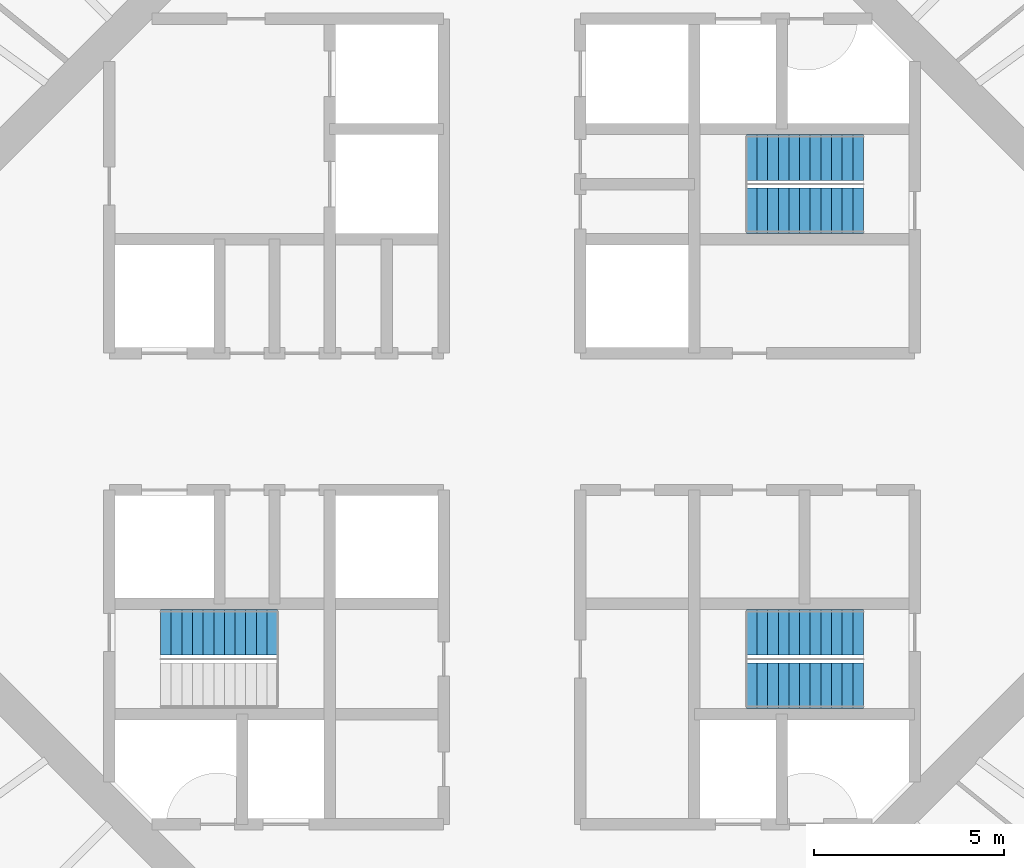
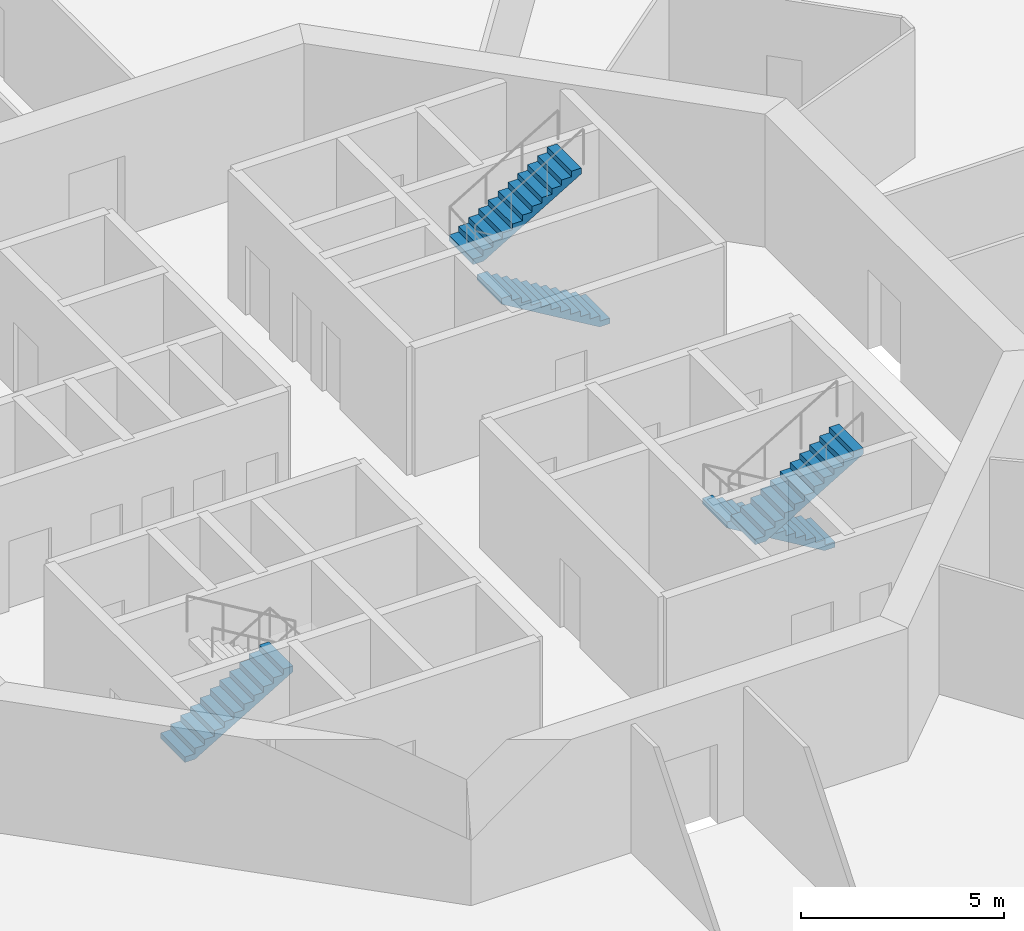
# One storey, part 6 of 13: 5 stair flights, 3 elements without a shape of their own.
"""IFC4 building model written with IfcOpenShell, lengths in metres."""

from ifc_helpers import new_model, si_unit, direction, frame, origin, place, context, subcontext, project, spatial, polyline, outline, extrude, material, type_object, element, aggregate, save


model = new_model("IFC4")

# Units and contexts
model_context = context("Model", 3, precision=1e-05, world=origin(), true_north=direction((0.0, 1.0)))
body_context = subcontext(model_context, "Body", "Model", "MODEL_VIEW")
ifc_project = project(units=[si_unit("LENGTHUNIT", "METRE"), si_unit("AREAUNIT", "SQUARE_METRE"), si_unit("VOLUMEUNIT", "CUBIC_METRE"), si_unit("PLANEANGLEUNIT", "RADIAN"), si_unit("MASSUNIT", "GRAM", prefix="KILO")], contexts=[model_context])

# Site, building, storey
site_placement = place(None, origin())
site = spatial("IfcSite", under=ifc_project, at=site_placement, CompositionType="ELEMENT")
building_placement = place(site_placement, origin())
building = spatial("IfcBuilding", under=site, at=building_placement, Name="Entoto Ring Tower", CompositionType="ELEMENT")
storey_placement = place(building_placement, frame((0.0, 0.0, 278.0)))
storey = spatial("IfcBuildingStorey", under=building, at=storey_placement, Name="L63", CompositionType="ELEMENT", Elevation=278.0)

# Stair, stair flights
ifc_material_1 = material(Name="Concrete C40/50", Category="concrete")
stair_type = type_object("IfcStairType", Name="Exit stair 1200 mm dog-leg reinforced concrete", PredefinedType="HALF_TURN_STAIR", material=ifc_material_1)
stair_1_placement = place(storey_placement, origin())
stair_1 = element("IfcStair", 1, at=stair_1_placement, inside=storey, type_object=stair_type, Name="Exit stair 1", PredefinedType="HALF_TURN_STAIR")
ifc_material_2 = material(Name="Concrete C40/50", Category="concrete")
stair_flight_type = type_object("IfcStairFlightType", Name="Stair flight 1200 mm reinforced concrete", PredefinedType="STRAIGHT", material=ifc_material_2)
stair_flight_1_placement = place(storey_placement, frame((99.25, 85.550048828125, 0.0), z_axis=(0.0, 0.0, 1.0), x_axis=(-1.0, 0.0, 0.0)))
stair_flight_1 = element("IfcStairFlight", 2, at=stair_flight_1_placement, type_object=stair_flight_type, Name="ST1 flight 1", NumberOfRisers=12, NumberOfTreads=11, PredefinedType="STRAIGHT", RiserHeight=0.166666667, TreadLength=0.28, context=body_context, shape_type="SweptSolid", body=[
    extrude(outline(polyline([(0.0, 0.0), (0.0, 0.166748046875), (0.280029296875, 0.166748046875), (0.280029296875, 0.333251953125), (0.56005859375, 0.333251953125), (0.56005859375, 0.5), (0.840087890625, 0.5), (0.840087890625, 0.666748046875), (1.1201171875, 0.666748046875), (1.1201171875, 0.833251953125), (1.39990234375, 0.833251953125), (1.39990234375, 1.0), (1.679931640625, 1.0), (1.679931640625, 1.166748046875), (1.9599609375, 1.166748046875), (1.9599609375, 1.333251953125), (2.239990234375, 1.333251953125), (2.239990234375, 1.5), (2.52001953125, 1.5), (2.52001953125, 1.666748046875), (2.800048828125, 1.666748046875), (2.800048828125, 1.833251953125), (3.080078125, 1.833251953125), (3.080078125, 2.0), (3.080078125, 1.658935546875), (0.29296875, 0.0), (0.0, 0.0)])), frame((0.0, 0.60009765625, 0.0), z_axis=(0.0, -1.0, 0.0), x_axis=(1.0, 0.0, 0.0)), (0.0, 0.0, 1.0), 1.199951171875),
])
stair_flight_2_placement = place(storey_placement, frame((96.169921875, 86.949951171875, 2.0), z_axis=(0.0, 0.0, 1.0), x_axis=(1.0, 0.0, 0.0)))
stair_flight_2 = element("IfcStairFlight", 3, at=stair_flight_2_placement, type_object=stair_flight_type, Name="ST1 flight 2", NumberOfRisers=12, NumberOfTreads=11, PredefinedType="STRAIGHT", RiserHeight=0.166666667, TreadLength=0.28, context=body_context, shape_type="SweptSolid", body=[
    extrude(outline(polyline([(0.0, 0.0), (0.0, 0.166748046875), (0.280029296875, 0.166748046875), (0.280029296875, 0.333251953125), (0.56005859375, 0.333251953125), (0.56005859375, 0.5), (0.840087890625, 0.5), (0.840087890625, 0.666748046875), (1.1201171875, 0.666748046875), (1.1201171875, 0.833251953125), (1.39990234375, 0.833251953125), (1.39990234375, 1.0), (1.679931640625, 1.0), (1.679931640625, 1.166748046875), (1.9599609375, 1.166748046875), (1.9599609375, 1.333251953125), (2.239990234375, 1.333251953125), (2.239990234375, 1.5), (2.52001953125, 1.5), (2.52001953125, 1.666748046875), (2.800048828125, 1.666748046875), (2.800048828125, 1.833251953125), (3.080078125, 1.833251953125), (3.080078125, 2.0), (3.080078125, 1.658935546875), (0.29296875, 0.0), (0.0, 0.0)])), frame((0.0, 0.60009765625, 0.0), z_axis=(0.0, -1.0, 0.0), x_axis=(1.0, 0.0, 0.0)), (0.0, 0.0, 1.0), 1.199951171875),
])
aggregate(stair_1, [stair_flight_1, stair_flight_2])

# Stair, stair flight
stair_2_placement = place(storey_placement, origin())
stair_2 = element("IfcStair", 4, at=stair_2_placement, inside=storey, type_object=stair_type, Name="Exit stair 2", PredefinedType="HALF_TURN_STAIR")
stair_flight_3_placement = place(storey_placement, frame((80.75, 74.449951171875, 0.0), z_axis=(0.0, 0.0, 1.0), x_axis=(1.0, 0.0, 0.0)))
stair_flight_3 = element("IfcStairFlight", 5, at=stair_flight_3_placement, type_object=stair_flight_type, Name="ST2 flight 1", NumberOfRisers=12, NumberOfTreads=11, PredefinedType="STRAIGHT", RiserHeight=0.166666667, TreadLength=0.28, context=body_context, shape_type="SweptSolid", body=[
    extrude(outline(polyline([(0.0, 0.0), (0.0, 0.166748046875), (0.280029296875, 0.166748046875), (0.280029296875, 0.333251953125), (0.56005859375, 0.333251953125), (0.56005859375, 0.5), (0.840087890625, 0.5), (0.840087890625, 0.666748046875), (1.1201171875, 0.666748046875), (1.1201171875, 0.833251953125), (1.39990234375, 0.833251953125), (1.39990234375, 1.0), (1.679931640625, 1.0), (1.679931640625, 1.166748046875), (1.9599609375, 1.166748046875), (1.9599609375, 1.333251953125), (2.239990234375, 1.333251953125), (2.239990234375, 1.5), (2.52001953125, 1.5), (2.52001953125, 1.666748046875), (2.800048828125, 1.666748046875), (2.800048828125, 1.833251953125), (3.080078125, 1.833251953125), (3.080078125, 2.0), (3.080078125, 1.658935546875), (0.29296875, 0.0), (0.0, 0.0)])), frame((0.0, 0.60009765625, 0.0), z_axis=(0.0, -1.0, 0.0), x_axis=(1.0, 0.0, 0.0)), (0.0, 0.0, 1.0), 1.199951171875),
])
aggregate(stair_2, [stair_flight_3])

# Stair, stair flights
stair_3_placement = place(storey_placement, origin())
stair_3 = element("IfcStair", 6, at=stair_3_placement, inside=storey, type_object=stair_type, Name="Exit stair 3", PredefinedType="HALF_TURN_STAIR")
stair_flight_4_placement = place(storey_placement, frame((99.25, 74.449951171875, 0.0), z_axis=(0.0, 0.0, 1.0), x_axis=(-1.0, 0.0, 0.0)))
stair_flight_4 = element("IfcStairFlight", 7, at=stair_flight_4_placement, type_object=stair_flight_type, Name="ST3 flight 1", NumberOfRisers=12, NumberOfTreads=11, PredefinedType="STRAIGHT", RiserHeight=0.166666667, TreadLength=0.28, context=body_context, shape_type="SweptSolid", body=[
    extrude(outline(polyline([(0.0, 0.0), (0.0, 0.166748046875), (0.280029296875, 0.166748046875), (0.280029296875, 0.333251953125), (0.56005859375, 0.333251953125), (0.56005859375, 0.5), (0.840087890625, 0.5), (0.840087890625, 0.666748046875), (1.1201171875, 0.666748046875), (1.1201171875, 0.833251953125), (1.39990234375, 0.833251953125), (1.39990234375, 1.0), (1.679931640625, 1.0), (1.679931640625, 1.166748046875), (1.9599609375, 1.166748046875), (1.9599609375, 1.333251953125), (2.239990234375, 1.333251953125), (2.239990234375, 1.5), (2.52001953125, 1.5), (2.52001953125, 1.666748046875), (2.800048828125, 1.666748046875), (2.800048828125, 1.833251953125), (3.080078125, 1.833251953125), (3.080078125, 2.0), (3.080078125, 1.658935546875), (0.29296875, 0.0), (0.0, 0.0)])), frame((0.0, 0.60009765625, 0.0), z_axis=(0.0, -1.0, 0.0), x_axis=(1.0, 0.0, 0.0)), (0.0, 0.0, 1.0), 1.199951171875),
])
stair_flight_5_placement = place(storey_placement, frame((96.169921875, 73.050048828125, 2.0), z_axis=(0.0, 0.0, 1.0), x_axis=(1.0, 0.0, 0.0)))
stair_flight_5 = element("IfcStairFlight", 8, at=stair_flight_5_placement, type_object=stair_flight_type, Name="ST3 flight 2", NumberOfRisers=12, NumberOfTreads=11, PredefinedType="STRAIGHT", RiserHeight=0.166666667, TreadLength=0.28, context=body_context, shape_type="SweptSolid", body=[
    extrude(outline(polyline([(0.0, 0.0), (0.0, 0.166748046875), (0.280029296875, 0.166748046875), (0.280029296875, 0.333251953125), (0.56005859375, 0.333251953125), (0.56005859375, 0.5), (0.840087890625, 0.5), (0.840087890625, 0.666748046875), (1.1201171875, 0.666748046875), (1.1201171875, 0.833251953125), (1.39990234375, 0.833251953125), (1.39990234375, 1.0), (1.679931640625, 1.0), (1.679931640625, 1.166748046875), (1.9599609375, 1.166748046875), (1.9599609375, 1.333251953125), (2.239990234375, 1.333251953125), (2.239990234375, 1.5), (2.52001953125, 1.5), (2.52001953125, 1.666748046875), (2.800048828125, 1.666748046875), (2.800048828125, 1.833251953125), (3.080078125, 1.833251953125), (3.080078125, 2.0), (3.080078125, 1.658935546875), (0.29296875, 0.0), (0.0, 0.0)])), frame((0.0, 0.60009765625, 0.0), z_axis=(0.0, -1.0, 0.0), x_axis=(1.0, 0.0, 0.0)), (0.0, 0.0, 1.0), 1.199951171875),
])
aggregate(stair_3, [stair_flight_4, stair_flight_5])

save(model, "model.ifc")
